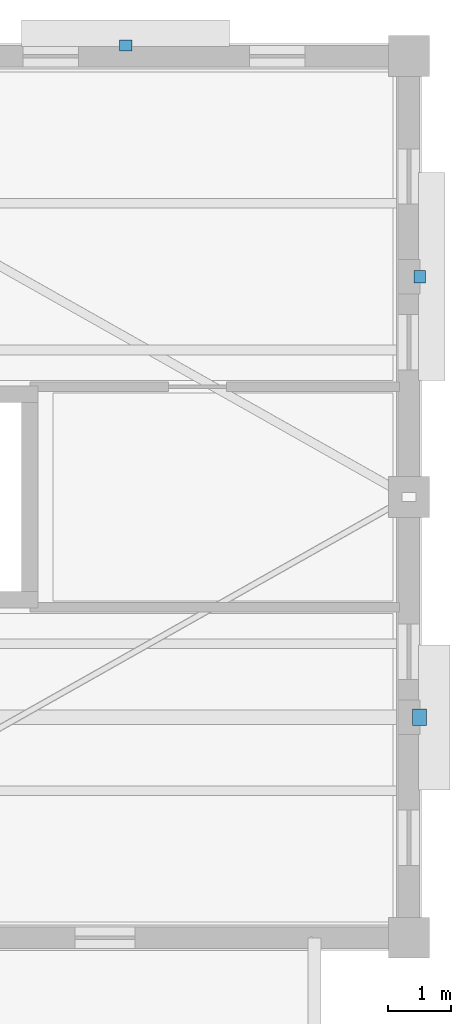
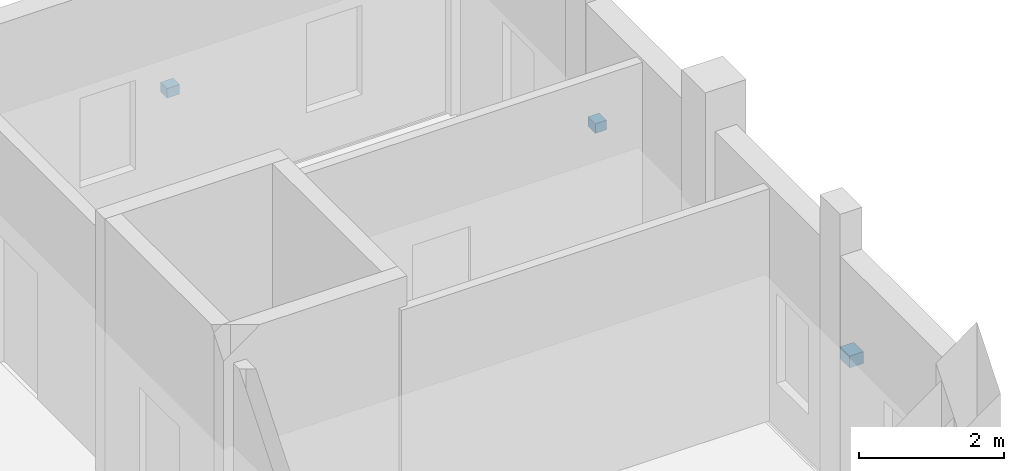
# One storey, part 36 of 40: 3 discrete accessories.
"""IFC4 building model written with IfcOpenShell, lengths in metres."""

from ifc_helpers import new_model, si_unit, direction, frame, origin, origin_2d, place, context, subcontext, project, spatial, rectangle, extrude, material, type_object, element, save


model = new_model("IFC4")

# Units and contexts
model_context = context("Model", 3, precision=1e-05, world=origin(), true_north=direction((0.0, 1.0)))
body_context = subcontext(model_context, "Body", "Model", "MODEL_VIEW")
ifc_project = project(units=[si_unit("LENGTHUNIT", "METRE"), si_unit("AREAUNIT", "SQUARE_METRE"), si_unit("VOLUMEUNIT", "CUBIC_METRE"), si_unit("PLANEANGLEUNIT", "RADIAN"), si_unit("MASSUNIT", "GRAM", prefix="KILO")], contexts=[model_context])

# Site, building, storey
site_placement = place(None, origin())
site = spatial("IfcSite", under=ifc_project, at=site_placement, CompositionType="ELEMENT")
building_placement = place(site_placement, origin())
building = spatial("IfcBuilding", under=site, at=building_placement, Name="Trellovar Central Fire Station", CompositionType="ELEMENT")
storey_placement = place(building_placement, frame((0.0, 0.0, 12.75)))
storey = spatial("IfcBuildingStorey", under=building, at=storey_placement, Name="L04", CompositionType="ELEMENT", Elevation=12.75)

# Discrete accessories
ifc_material_1 = material(Name="Patina bronze wrought metalwork", Category="metal")
discrete_accessory_type_1 = type_object("IfcDiscreteAccessoryType", Name="ACC-BRK1", PredefinedType="BRACKET", material=ifc_material_1)
discrete_accessory_placement = place(storey_placement, frame((161.169921875, 62.5, 1.89990234375), z_axis=(0.0, 0.0, 1.0), x_axis=(0.0, 1.0, 0.0)))
element("IfcDiscreteAccessory", 1, at=discrete_accessory_placement, inside=storey, type_object=discrete_accessory_type_1, Name="L04 bronze shade mounting bracket 115", PredefinedType="BRACKET", context=body_context, shape_type="SweptSolid", body=[
    extrude(rectangle(XDim=0.260009765625, YDim=0.219970703125, at=origin_2d()), origin(), (0.0, 0.0, 1.0), 0.199951171875),
])
ifc_material_2 = material(Name="Patina bronze wrought metalwork", Category="metal")
discrete_accessory_type_2 = type_object("IfcDiscreteAccessoryType", Name="ACC-BRK2", PredefinedType="BRACKET", material=ifc_material_2)
for number, where, z_axis, x_axis, name in (
    (2, (156.5, 73.169921875, 1.56982421875), (0.0, 0.0, 1.0), (1.0, 0.0, 0.0), "L04 bronze shade mounting bracket 114"),
    (3, (161.169921875, 69.5, 1.56982421875), (0.0, 0.0, 1.0), (0.0, 1.0, 0.0), "L04 bronze shade mounting bracket 116"),
):
    element("IfcDiscreteAccessory", number, at=place(storey_placement, frame(where, z_axis=z_axis, x_axis=x_axis)), inside=storey, type_object=discrete_accessory_type_2, Name=name, PredefinedType="BRACKET", context=body_context, shape_type="SweptSolid", body=[
        extrude(rectangle(XDim=0.199951171875, YDim=0.179931640625, at=origin_2d()), origin(), (0.0, 0.0, 1.0), 0.159912109375),
    ])

save(model, "model.ifc")
